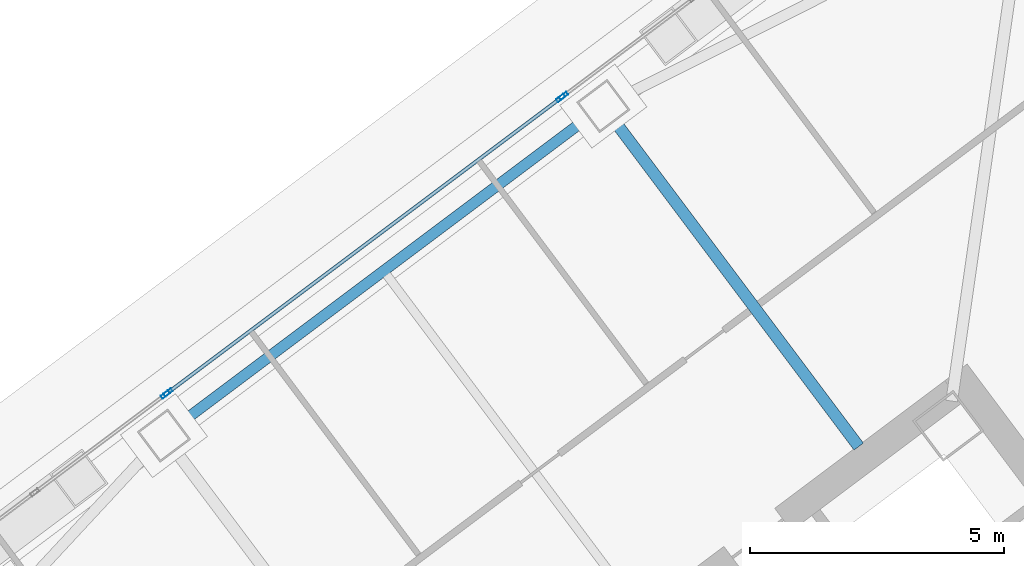
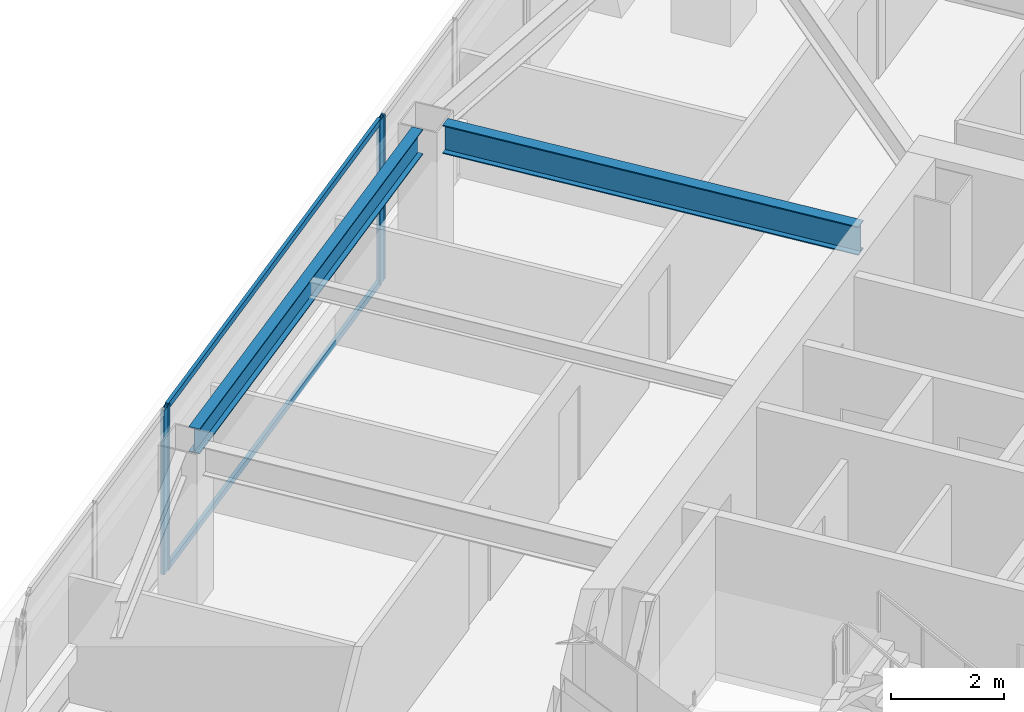
# One storey, part 45 of 65: 6 members, 2 beams, 3 elements without a shape of their own.
"""IFC4 building model written with IfcOpenShell, lengths in metres."""

from ifc_helpers import new_model, si_unit, direction, frame, origin, origin_2d, place, context, subcontext, project, spatial, hollow_rectangle, i_section, extrude, material, material_profile, profile_set, type_object, element, aggregate, save


model = new_model("IFC4")

# Units and contexts
model_context = context("Model", 3, precision=1e-05, world=origin(), true_north=direction((0.0, 1.0)))
body_context = subcontext(model_context, "Body", "Model", "MODEL_VIEW")
ifc_project = project(units=[si_unit("LENGTHUNIT", "METRE"), si_unit("AREAUNIT", "SQUARE_METRE"), si_unit("VOLUMEUNIT", "CUBIC_METRE"), si_unit("PLANEANGLEUNIT", "RADIAN"), si_unit("MASSUNIT", "GRAM", prefix="KILO")], contexts=[model_context])

# Site, building, storey
site_placement = place(None, origin())
site = spatial("IfcSite", under=ifc_project, at=site_placement, CompositionType="ELEMENT")
building_placement = place(site_placement, origin())
building = spatial("IfcBuilding", under=site, at=building_placement, Name="Tashvorn Skyway Center", CompositionType="ELEMENT")
storey_placement = place(building_placement, frame((0.0, 0.0, 157.0)))
storey = spatial("IfcBuildingStorey", under=building, at=storey_placement, Name="L42", CompositionType="ELEMENT", Elevation=157.0)

# Beams
ifc_material_1 = material(Name="Steel ASTM A992 Grade 50", Category="steel")
ifc_material_profile_1 = material_profile(ifc_material_1, i_section(OverallWidth=0.22998046875, OverallDepth=0.616943359375, WebThickness=0.01318359375, FlangeThickness=0.022216796875, at=origin_2d()), Name="W24X94")
ifc_profile_set_1 = profile_set([ifc_material_profile_1], Name="Steel ASTM A992 Grade 50")
beam_type_1 = type_object("IfcBeamType", Name="BM-BEAM-W24X94", PredefinedType="BEAM", material=ifc_profile_set_1)
beam_1_placement = place(storey_placement, frame((108.85205078125, 47.864013671875, 3.0615234375), z_axis=(0.60000976564, -0.799992675677, 0.0), x_axis=(0.799992675677, 0.60000976564, 0.0)))
element("IfcBeam", 1, at=beam_1_placement, inside=storey, type_object=beam_type_1, Name="Tower 2 L42 Primary Floor Girder FC-N1", PredefinedType="BEAM", context=body_context, shape_type="SweptSolid", body=[
    extrude(i_section(OverallWidth=0.22998046875, OverallDepth=0.616943359375, WebThickness=0.01318359375, FlangeThickness=0.022216796875, at=origin_2d()), origin(), (0.0, 0.0, 1.0), 8.0),
])
ifc_material_profile_2 = material_profile(ifc_material_1, i_section(OverallWidth=0.2109375, OverallDepth=0.5390625, WebThickness=0.01171875, FlangeThickness=0.018798828125, at=origin_2d()), Name="W21X73")
ifc_profile_set_2 = profile_set([ifc_material_profile_2], Name="Steel ASTM A992 Grade 50")
beam_type_2 = type_object("IfcBeamType", Name="BM-SPANDREL-W21X73", PredefinedType="SPANDREL", material=ifc_profile_set_2)
beam_2_placement = place(storey_placement, frame((108.333984375, 47.93798828125, 3.1005859375), z_axis=(-0.800008736549, -0.599988351091, 0.0), x_axis=(0.599988351091, -0.800008736549, 0.0)))
element("IfcBeam", 2, at=beam_2_placement, inside=storey, type_object=beam_type_2, Name="Tower 2 L42 Spandrel Beam 08", PredefinedType="SPANDREL", context=body_context, shape_type="SweptSolid", body=[
    extrude(i_section(OverallWidth=0.2109375, OverallDepth=0.5390625, WebThickness=0.01171875, FlangeThickness=0.018798828125, at=origin_2d()), origin(), (0.0, 0.0, 1.0), 10.06005859375),
])

# Curtain wall, member
ifc_material_2 = material(Name="Thermally broken bronze-anodized aluminium 6063-T6", Category="aluminium")
curtain_wall_type = type_object("IfcCurtainWallType", Name="CW-CW-Z4", PredefinedType="NOTDEFINED", material=ifc_material_2)
curtain_wall_1_placement = place(storey_placement, origin())
curtain_wall_1 = element("IfcCurtainWall", 3, at=curtain_wall_1_placement, inside=storey, type_object=curtain_wall_type, Name="Tower 2 L42 North Unitised Curtain Wall Glazing Group 1", PredefinedType="NOTDEFINED")
ifc_material_profile_3 = material_profile(ifc_material_2, hollow_rectangle(XDim=0.070068359375, YDim=0.179931640625, WallThickness=0.00390625, at=origin_2d()), Name="ALU-MULL-70x180")
ifc_profile_set_3 = profile_set([ifc_material_profile_3], Name="Thermally broken bronze-anodized aluminium 6063-T6")
member_type_1 = type_object("IfcMemberType", Name="CWM-CW-Z4", PredefinedType="MULLION", material=ifc_profile_set_3)
member_1_placement = place(storey_placement, frame((100.01611328125, 42.487060546875, 0.0), z_axis=(0.0, 0.0, 1.0), x_axis=(-0.600000000002, 0.799999999998, 0.0)))
member_1 = element("IfcMember", 4, at=member_1_placement, type_object=member_type_1, Name="CW-Z4 mullion 3", PredefinedType="MULLION", context=body_context, shape_type="SweptSolid", body=[
    extrude(hollow_rectangle(XDim=0.070068359375, YDim=0.179931640625, WallThickness=0.00390625, at=origin_2d()), origin(), (0.0, 0.0, 1.0), 3.550048828125),
])
aggregate(curtain_wall_1, [member_1])

# Curtain wall, members
curtain_wall_2_placement = place(storey_placement, origin())
curtain_wall_2 = element("IfcCurtainWall", 5, at=curtain_wall_2_placement, inside=storey, type_object=curtain_wall_type, Name="Tower 2 L42 North Unitised Curtain Wall Glazing Group 2", PredefinedType="NOTDEFINED")
member_2_placement = place(storey_placement, frame((100.072021484375, 42.529052734375, 0.0), z_axis=(0.0, 0.0, 1.0), x_axis=(-0.600000000002, 0.799999999998, 0.0)))
member_2 = element("IfcMember", 6, at=member_2_placement, type_object=member_type_1, Name="CW-Z4 mullion 1", PredefinedType="MULLION", context=body_context, shape_type="SweptSolid", body=[
    extrude(hollow_rectangle(XDim=0.070068359375, YDim=0.179931640625, WallThickness=0.00390625, at=origin_2d()), origin(), (0.0, 0.0, 1.0), 3.550048828125),
])
member_3_placement = place(storey_placement, frame((107.7919921875, 48.319091796875, 0.0), z_axis=(0.0, 0.0, 1.0), x_axis=(-0.600000000002, 0.799999999998, 0.0)))
member_3 = element("IfcMember", 7, at=member_3_placement, type_object=member_type_1, Name="CW-Z4 mullion 2", PredefinedType="MULLION", context=body_context, shape_type="SweptSolid", body=[
    extrude(hollow_rectangle(XDim=0.070068359375, YDim=0.179931640625, WallThickness=0.00390625, at=origin_2d()), origin(), (0.0, 0.0, 1.0), 3.550048828125),
])

# Curtain wall, member
curtain_wall_3_placement = place(storey_placement, origin())
curtain_wall_3 = element("IfcCurtainWall", 8, at=curtain_wall_3_placement, inside=storey, type_object=curtain_wall_type, Name="Tower 2 L42 North Unitised Curtain Wall Glazing Group 3", PredefinedType="NOTDEFINED")
member_4_placement = place(storey_placement, frame((107.847900390625, 48.361083984375, 0.0), z_axis=(0.0, 0.0, 1.0), x_axis=(-0.600000000002, 0.799999999998, 0.0)))
member_4 = element("IfcMember", 9, at=member_4_placement, type_object=member_type_1, Name="CW-Z4 mullion 1", PredefinedType="MULLION", context=body_context, shape_type="SweptSolid", body=[
    extrude(hollow_rectangle(XDim=0.070068359375, YDim=0.179931640625, WallThickness=0.00390625, at=origin_2d()), origin(), (0.0, 0.0, 1.0), 3.550048828125),
])
aggregate(curtain_wall_3, [member_4])

# Member
ifc_material_profile_4 = material_profile(ifc_material_2, hollow_rectangle(XDim=0.070068359375, YDim=0.1298828125, WallThickness=0.00390625, at=origin_2d()), Name="ALU-TRAN-70x130")
ifc_profile_set_4 = profile_set([ifc_material_profile_4], Name="Thermally broken bronze-anodized aluminium 6063-T6")
member_type_2 = type_object("IfcMemberType", Name="CWT-CW-Z4", PredefinedType="USERDEFINED", material=ifc_profile_set_4)
member_5_placement = place(storey_placement, frame((100.10009765625, 42.550048828125, 0.034912109375), z_axis=(0.799990825408, 0.600012232595, 0.0), x_axis=(-0.600012232595, 0.799990825408, 0.0)))
member_5 = element("IfcMember", 10, at=member_5_placement, type_object=member_type_2, Name="CW-Z4 transom 1.1", ObjectType="TRANSOM", PredefinedType="USERDEFINED", context=body_context, shape_type="SweptSolid", body=[
    extrude(hollow_rectangle(XDim=0.070068359375, YDim=0.1298828125, WallThickness=0.00390625, at=origin_2d()), origin(), (0.0, 0.0, 1.0), 9.579833984375),
])

member_6_placement = place(storey_placement, frame((100.10009765625, 42.550048828125, 3.514892578125), z_axis=(0.799990825408, 0.600012232595, 0.0), x_axis=(-0.600012232595, 0.799990825408, 0.0)))
member_6 = element("IfcMember", 11, at=member_6_placement, type_object=member_type_2, Name="CW-Z4 transom 1.2", ObjectType="TRANSOM", PredefinedType="USERDEFINED", context=body_context, shape_type="SweptSolid", body=[
    extrude(hollow_rectangle(XDim=0.070068359375, YDim=0.1298828125, WallThickness=0.00390625, at=origin_2d()), origin(), (0.0, 0.0, 1.0), 9.579833984375),
])

aggregate(curtain_wall_2, [member_2, member_3, member_5, member_6])

save(model, "model.ifc")
